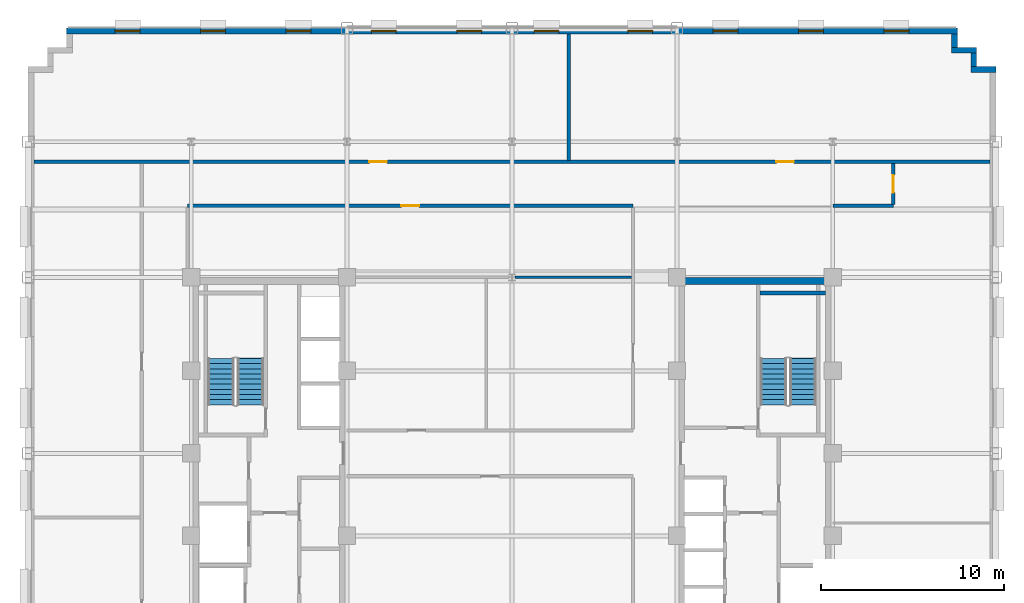
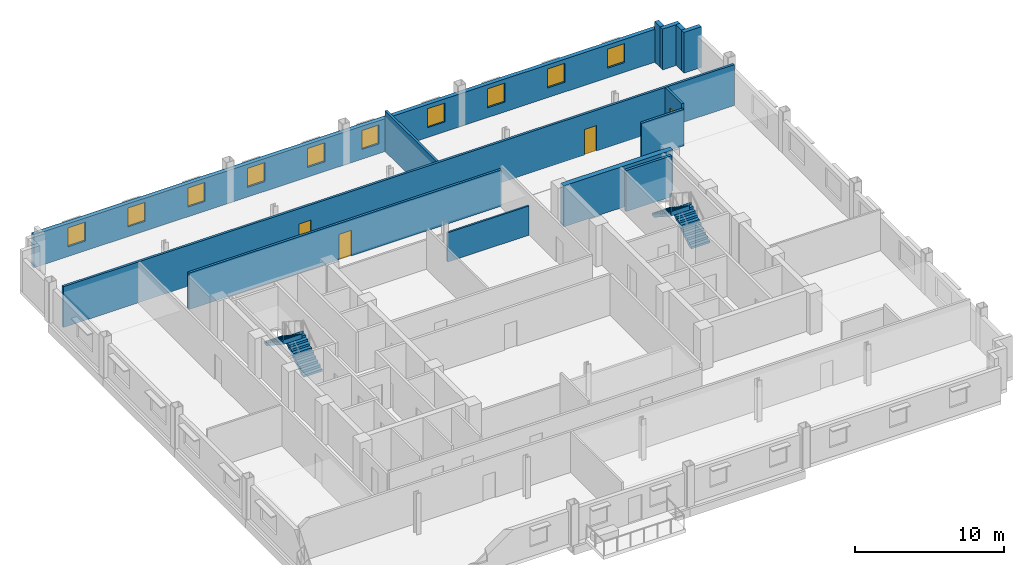
# One storey, part 9 of 14: 13 walls, 10 windows, 4 doors, 4 stair flights, 14 openings, 2 elements without a shape of their own.
"""IFC4 building model written with IfcOpenShell, lengths in metres."""

from ifc_helpers import new_model, si_unit, direction, frame, frame_2d, origin, place, context, subcontext, project, spatial, polyline, rectangle, outline, extrude, source, transform, mapped, material, layer, layer_set, type_object, type_shapes, element, fill, aggregate, save


model = new_model("IFC4")

# Units and contexts
model_context = context("Model", 3, precision=1e-05, world=origin(), true_north=direction((0.0, 1.0)))
body_context = subcontext(model_context, "Body", "Model", "MODEL_VIEW")
ifc_project = project(units=[si_unit("LENGTHUNIT", "METRE"), si_unit("AREAUNIT", "SQUARE_METRE"), si_unit("VOLUMEUNIT", "CUBIC_METRE"), si_unit("PLANEANGLEUNIT", "RADIAN"), si_unit("MASSUNIT", "GRAM", prefix="KILO")], contexts=[model_context])

# Site, building, storey
site_placement = place(None, origin())
site = spatial("IfcSite", under=ifc_project, at=site_placement, CompositionType="ELEMENT")
building_placement = place(site_placement, origin())
building = spatial("IfcBuilding", under=site, at=building_placement, Name="Nuvemarco Arch Tower", CompositionType="ELEMENT")
storey_placement = place(building_placement, frame((0.0, 0.0, 134.800048828125)))
storey = spatial("IfcBuildingStorey", under=building, at=storey_placement, Name="L35", CompositionType="ELEMENT", Elevation=134.800048828125)

# Walls
ifc_material_1 = material(Name="Precast concrete C45/55", Category="concrete")
ifc_layer_1 = layer(ifc_material_1, 0.320068359375, Name="EW-MID-320")
ifc_layer_set_1 = layer_set([ifc_layer_1], Name="Precast concrete C45/55")
wall_type_1 = type_object("IfcWallType", Name="EW-MID-320", PredefinedType="STANDARD", material=ifc_layer_set_1)
wall_1_placement = place(storey_placement, frame((25.030029296875, 20.93994140625, 0.0), z_axis=(0.0, 0.0, 1.0), x_axis=(1.0, 0.0, 0.0)))
element("IfcWall", 1, at=wall_1_placement, inside=storey, type_object=wall_type_1, Name="L35 exterior precast facade wall 7", PredefinedType="STANDARD", context=body_context, shape_type="SweptSolid", body=[
    extrude(rectangle(XDim=1.369873046875, YDim=0.320068359375, at=frame_2d((0.68505859375, 0.0))), origin(), (0.0, 0.0, 1.0), 3.35986328125),
])
wall_2_placement = place(storey_placement, frame((25.18994140625, 21.095947265625, 0.0), z_axis=(0.0, 0.0, 1.0), x_axis=(0.0, 1.0, 0.0)))
element("IfcWall", 2, at=wall_2_placement, inside=storey, type_object=wall_type_1, Name="L35 exterior precast facade wall 8", PredefinedType="STANDARD", context=body_context, shape_type="SweptSolid", body=[
    extrude(rectangle(XDim=0.738037109375, YDim=0.320068359375, at=frame_2d((0.369140625, 0.0))), origin(), (0.0, 0.0, 1.0), 3.35986328125),
])
wall_3_placement = place(storey_placement, frame((23.97998046875, 21.989990234375, 0.0), z_axis=(0.0, 0.0, 1.0), x_axis=(1.0, 0.0, 0.0)))
element("IfcWall", 3, at=wall_3_placement, inside=storey, type_object=wall_type_1, Name="L35 exterior precast facade wall 9", PredefinedType="STANDARD", context=body_context, shape_type="SweptSolid", body=[
    extrude(rectangle(XDim=1.3701171875, YDim=0.320068359375, at=frame_2d((0.68505859375, 0.0))), origin(), (0.0, 0.0, 1.0), 3.35986328125),
])
wall_4_placement = place(storey_placement, frame((24.139892578125, 22.14599609375, 0.0), z_axis=(0.0, 0.0, 1.0), x_axis=(0.0, 1.0, 0.0)))
element("IfcWall", 4, at=wall_4_placement, inside=storey, type_object=wall_type_1, Name="L35 exterior precast facade wall 10", PredefinedType="STANDARD", context=body_context, shape_type="SweptSolid", body=[
    extrude(rectangle(XDim=0.738037109375, YDim=0.320068359375, at=frame_2d((0.369140625, 0.0))), origin(), (0.0, 0.0, 1.0), 3.35986328125),
])

# Wall, openings, windows
wall_5_placement = place(storey_placement, frame((-24.300048828125, 23.0400390625, 0.0), z_axis=(0.0, 0.0, 1.0), x_axis=(1.0, 0.0, 0.0)))
wall_5 = element("IfcWall", 5, at=wall_5_placement, inside=storey, type_object=wall_type_1, Name="L35 exterior precast facade wall 11", PredefinedType="STANDARD", context=body_context, shape_type="SweptSolid", body=[
    extrude(rectangle(XDim=48.60009765625, YDim=0.320068359375, at=frame_2d((24.300048828125, 0.0))), origin(), (0.0, 0.0, 1.0), 2.704833984375),
])
opening_1_placement = place(wall_5_placement, frame((2.655029296875, 0.0, 0.800048828125)))
opening_1 = element("IfcOpeningElement", 6, at=opening_1_placement, cuts=wall_5, Name="Opening WN-6", PredefinedType="OPENING", context=body_context, shape_type="SweptSolid", body=[
    extrude(rectangle(XDim=1.35009765625, YDim=1.56005859375, at=frame_2d((0.675048828125, 0.780029296875))), frame((0.0, 0.169921875, 0.0), z_axis=(0.0, -1.0, 0.0), x_axis=(1.0, 0.0, 0.0)), (0.0, 0.0, 1.0), 0.340087890625),
])
opening_2_placement = place(wall_5_placement, frame((7.31494140625, 0.0, 0.800048828125)))
opening_2 = element("IfcOpeningElement", 7, at=opening_2_placement, cuts=wall_5, Name="Opening WN-6", PredefinedType="OPENING", context=body_context, shape_type="SweptSolid", body=[
    extrude(rectangle(XDim=1.35009765625, YDim=1.56005859375, at=frame_2d((0.675048828125, 0.780029296875))), frame((0.0, 0.169921875, 0.0), z_axis=(0.0, -1.0, 0.0), x_axis=(1.0, 0.0, 0.0)), (0.0, 0.0, 1.0), 0.340087890625),
])
opening_3_placement = place(wall_5_placement, frame((11.97509765625, 0.0, 0.800048828125)))
opening_3 = element("IfcOpeningElement", 8, at=opening_3_placement, cuts=wall_5, Name="Opening WN-6", PredefinedType="OPENING", context=body_context, shape_type="SweptSolid", body=[
    extrude(rectangle(XDim=1.35009765625, YDim=1.56005859375, at=frame_2d((0.675048828125, 0.780029296875))), frame((0.0, 0.169921875, 0.0), z_axis=(0.0, -1.0, 0.0), x_axis=(1.0, 0.0, 0.0)), (0.0, 0.0, 1.0), 0.340087890625),
])
opening_4_placement = place(wall_5_placement, frame((16.635009765625, 0.0, 0.800048828125)))
opening_4 = element("IfcOpeningElement", 9, at=opening_4_placement, cuts=wall_5, Name="Opening WN-6", PredefinedType="OPENING", context=body_context, shape_type="SweptSolid", body=[
    extrude(rectangle(XDim=1.35009765625, YDim=1.56005859375, at=frame_2d((0.675048828125, 0.780029296875))), frame((0.0, 0.169921875, 0.0), z_axis=(0.0, -1.0, 0.0), x_axis=(1.0, 0.0, 0.0)), (0.0, 0.0, 1.0), 0.340087890625),
])
opening_5_placement = place(wall_5_placement, frame((21.294921875, 0.0, 0.800048828125)))
opening_5 = element("IfcOpeningElement", 10, at=opening_5_placement, cuts=wall_5, Name="Opening WN-6", PredefinedType="OPENING", context=body_context, shape_type="SweptSolid", body=[
    extrude(rectangle(XDim=1.35009765625, YDim=1.56005859375, at=frame_2d((0.675048828125, 0.780029296875))), frame((0.0, 0.169921875, 0.0), z_axis=(0.0, -1.0, 0.0), x_axis=(1.0, 0.0, 0.0)), (0.0, 0.0, 1.0), 0.340087890625),
])
opening_6_placement = place(wall_5_placement, frame((25.5048828125, 0.0, 0.800048828125)))
opening_6 = element("IfcOpeningElement", 11, at=opening_6_placement, cuts=wall_5, Name="Opening WN-6", PredefinedType="OPENING", context=body_context, shape_type="SweptSolid", body=[
    extrude(rectangle(XDim=1.35009765625, YDim=1.56005859375, at=frame_2d((0.675048828125, 0.780029296875))), frame((0.0, 0.169921875, 0.0), z_axis=(0.0, -1.0, 0.0), x_axis=(1.0, 0.0, 0.0)), (0.0, 0.0, 1.0), 0.340087890625),
])
opening_7_placement = place(wall_5_placement, frame((30.614990234375, 0.0, 0.800048828125)))
opening_7 = element("IfcOpeningElement", 12, at=opening_7_placement, cuts=wall_5, Name="Opening WN-6", PredefinedType="OPENING", context=body_context, shape_type="SweptSolid", body=[
    extrude(rectangle(XDim=1.35009765625, YDim=1.56005859375, at=frame_2d((0.675048828125, 0.780029296875))), frame((0.0, 0.169921875, 0.0), z_axis=(0.0, -1.0, 0.0), x_axis=(1.0, 0.0, 0.0)), (0.0, 0.0, 1.0), 0.340087890625),
])
opening_8_placement = place(wall_5_placement, frame((35.27490234375, 0.0, 0.800048828125)))
opening_8 = element("IfcOpeningElement", 13, at=opening_8_placement, cuts=wall_5, Name="Opening WN-6", PredefinedType="OPENING", context=body_context, shape_type="SweptSolid", body=[
    extrude(rectangle(XDim=1.35009765625, YDim=1.56005859375, at=frame_2d((0.675048828125, 0.780029296875))), frame((0.0, 0.169921875, 0.0), z_axis=(0.0, -1.0, 0.0), x_axis=(1.0, 0.0, 0.0)), (0.0, 0.0, 1.0), 0.340087890625),
])
opening_9_placement = place(wall_5_placement, frame((39.93505859375, 0.0, 0.800048828125)))
opening_9 = element("IfcOpeningElement", 14, at=opening_9_placement, cuts=wall_5, Name="Opening WN-6", PredefinedType="OPENING", context=body_context, shape_type="SweptSolid", body=[
    extrude(rectangle(XDim=1.35009765625, YDim=1.56005859375, at=frame_2d((0.675048828125, 0.780029296875))), frame((0.0, 0.169921875, 0.0), z_axis=(0.0, -1.0, 0.0), x_axis=(1.0, 0.0, 0.0)), (0.0, 0.0, 1.0), 0.340087890625),
])
opening_10_placement = place(wall_5_placement, frame((44.594970703125, 0.0, 0.800048828125)))
opening_10 = element("IfcOpeningElement", 15, at=opening_10_placement, cuts=wall_5, Name="Opening WN-6", PredefinedType="OPENING", context=body_context, shape_type="SweptSolid", body=[
    extrude(rectangle(XDim=1.35009765625, YDim=1.56005859375, at=frame_2d((0.675048828125, 0.780029296875))), frame((0.0, 0.169921875, 0.0), z_axis=(0.0, -1.0, 0.0), x_axis=(1.0, 0.0, 0.0)), (0.0, 0.0, 1.0), 0.340087890625),
])
ifc_material_2 = material(Name="Insulated solar-control glass", Category="glass")
window_type = type_object("IfcWindowType", Name="WN-MID-1350x1560", PartitioningType="SINGLE_PANEL", PredefinedType="WINDOW", material=ifc_material_2)
shared_shape_1 = source(origin(), body_context, "Body", "SweptSolid", [
    extrude(rectangle(XDim=1.35009765625, YDim=1.56005859375, at=frame_2d((0.675048828125, 0.780029296875))), frame((0.0, 0.030029296875, 0.0), z_axis=(0.0, -1.0, 0.0), x_axis=(1.0, 0.0, 0.0)), (0.0, 0.0, 1.0), 0.06005859375),
])
type_shapes(window_type, [shared_shape_1])
window_1_placement = place(opening_1_placement, origin())
window_1 = element("IfcWindow", 16, at=window_1_placement, inside=storey, type_object=window_type, Name="L35 punched facade window 1", OverallHeight=1.56005859375, OverallWidth=1.35009765625, PartitioningType="SINGLE_PANEL", PredefinedType="WINDOW", context=body_context, shape_type="MappedRepresentation", body=[
    mapped(shared_shape_1, transform((0.0, 0.0, 0.0), scale=1.0)),
])
fill(opening_1, window_1)
window_2_placement = place(opening_2_placement, origin())
window_2 = element("IfcWindow", 17, at=window_2_placement, inside=storey, type_object=window_type, Name="L35 punched facade window 2", OverallHeight=1.56005859375, OverallWidth=1.35009765625, PartitioningType="SINGLE_PANEL", PredefinedType="WINDOW", context=body_context, shape_type="MappedRepresentation", body=[
    mapped(shared_shape_1, transform((0.0, 0.0, 0.0), scale=1.0)),
])
fill(opening_2, window_2)
window_3_placement = place(opening_3_placement, origin())
window_3 = element("IfcWindow", 18, at=window_3_placement, inside=storey, type_object=window_type, Name="L35 punched facade window 3", OverallHeight=1.56005859375, OverallWidth=1.35009765625, PartitioningType="SINGLE_PANEL", PredefinedType="WINDOW", context=body_context, shape_type="MappedRepresentation", body=[
    mapped(shared_shape_1, transform((0.0, 0.0, 0.0), scale=1.0)),
])
fill(opening_3, window_3)
window_4_placement = place(opening_4_placement, origin())
window_4 = element("IfcWindow", 19, at=window_4_placement, inside=storey, type_object=window_type, Name="L35 punched facade window 4", OverallHeight=1.56005859375, OverallWidth=1.35009765625, PartitioningType="SINGLE_PANEL", PredefinedType="WINDOW", context=body_context, shape_type="MappedRepresentation", body=[
    mapped(shared_shape_1, transform((0.0, 0.0, 0.0), scale=1.0)),
])
fill(opening_4, window_4)
window_5_placement = place(opening_5_placement, origin())
window_5 = element("IfcWindow", 20, at=window_5_placement, inside=storey, type_object=window_type, Name="L35 punched facade window 5", OverallHeight=1.56005859375, OverallWidth=1.35009765625, PartitioningType="SINGLE_PANEL", PredefinedType="WINDOW", context=body_context, shape_type="MappedRepresentation", body=[
    mapped(shared_shape_1, transform((0.0, 0.0, 0.0), scale=1.0)),
])
fill(opening_5, window_5)
window_6_placement = place(opening_6_placement, origin())
window_6 = element("IfcWindow", 21, at=window_6_placement, inside=storey, type_object=window_type, Name="L35 punched facade window 6", OverallHeight=1.56005859375, OverallWidth=1.35009765625, PartitioningType="SINGLE_PANEL", PredefinedType="WINDOW", context=body_context, shape_type="MappedRepresentation", body=[
    mapped(shared_shape_1, transform((0.0, 0.0, 0.0), scale=1.0)),
])
fill(opening_6, window_6)
window_7_placement = place(opening_7_placement, origin())
window_7 = element("IfcWindow", 22, at=window_7_placement, inside=storey, type_object=window_type, Name="L35 punched facade window 7", OverallHeight=1.56005859375, OverallWidth=1.35009765625, PartitioningType="SINGLE_PANEL", PredefinedType="WINDOW", context=body_context, shape_type="MappedRepresentation", body=[
    mapped(shared_shape_1, transform((0.0, 0.0, 0.0), scale=1.0)),
])
fill(opening_7, window_7)
window_8_placement = place(opening_8_placement, origin())
window_8 = element("IfcWindow", 23, at=window_8_placement, inside=storey, type_object=window_type, Name="L35 punched facade window 8", OverallHeight=1.56005859375, OverallWidth=1.35009765625, PartitioningType="SINGLE_PANEL", PredefinedType="WINDOW", context=body_context, shape_type="MappedRepresentation", body=[
    mapped(shared_shape_1, transform((0.0, 0.0, 0.0), scale=1.0)),
])
fill(opening_8, window_8)
window_9_placement = place(opening_9_placement, origin())
window_9 = element("IfcWindow", 24, at=window_9_placement, inside=storey, type_object=window_type, Name="L35 punched facade window 9", OverallHeight=1.56005859375, OverallWidth=1.35009765625, PartitioningType="SINGLE_PANEL", PredefinedType="WINDOW", context=body_context, shape_type="MappedRepresentation", body=[
    mapped(shared_shape_1, transform((0.0, 0.0, 0.0), scale=1.0)),
])
fill(opening_9, window_9)
window_10_placement = place(opening_10_placement, origin())
window_10 = element("IfcWindow", 25, at=window_10_placement, inside=storey, type_object=window_type, Name="L35 punched facade window 10", OverallHeight=1.56005859375, OverallWidth=1.35009765625, PartitioningType="SINGLE_PANEL", PredefinedType="WINDOW", context=body_context, shape_type="MappedRepresentation", body=[
    mapped(shared_shape_1, transform((0.0, 0.0, 0.0), scale=1.0)),
])
fill(opening_10, window_10)

# Wall
ifc_material_3 = material(Name="Concrete C60/75", Category="concrete")
ifc_layer_2 = layer(ifc_material_3, 0.39990234375, Name="WL-CORE-400")
ifc_layer_set_2 = layer_set([ifc_layer_2], Name="Concrete C60/75")
wall_type_2 = type_object("IfcWallType", Name="WL-CORE-400", PredefinedType="SHEAR", material=ifc_layer_set_2)
wall_6_placement = place(storey_placement, frame((9.0, 9.39990234375, 0.0), z_axis=(0.0, 0.0, 1.0), x_axis=(1.0, 0.0, 0.0)))
element("IfcWall", 26, at=wall_6_placement, inside=storey, type_object=wall_type_2, Name="L35 E-core shear wall N", PredefinedType="SHEAR", context=body_context, shape_type="SweptSolid", body=[
    extrude(rectangle(XDim=8.5, YDim=0.39990234375, at=frame_2d((4.25, 0.0))), origin(), (0.0, 0.0, 1.0), 3.369873046875),
])

# Wall, opening, door
ifc_material_4 = material(Name="Fire-rated gypsum drywall partition")
ifc_layer_3 = layer(ifc_material_4, 0.179931640625, Name="WL-CORR-180")
ifc_layer_set_3 = layer_set([ifc_layer_3], Name="Fire-rated gypsum drywall partition")
wall_type_3 = type_object("IfcWallType", Name="WL-CORR-180", PredefinedType="PARTITIONING", material=ifc_layer_set_3)
wall_7_placement = place(storey_placement, frame((-17.699951171875, 13.5, 0.0), z_axis=(0.0, 0.0, 1.0), x_axis=(1.0, 0.0, 0.0)))
wall_7 = element("IfcWall", 27, at=wall_7_placement, inside=storey, type_object=wall_type_3, Name="L35 interior wall IW-L35-012", PredefinedType="PARTITIONING", context=body_context, shape_type="SweptSolid", body=[
    extrude(rectangle(XDim=24.300048828125, YDim=0.179931640625, at=frame_2d((12.14990234375, 0.0))), origin(), (0.0, 0.0, 1.0), 2.998046875),
])
opening_11_placement = place(wall_7_placement, frame((11.669921875, 0.0, 0.0)))
opening_11 = element("IfcOpeningElement", 28, at=opening_11_placement, cuts=wall_7, Name="Opening FD-5", PredefinedType="OPENING", context=body_context, shape_type="SweptSolid", body=[
    extrude(rectangle(XDim=0.9599609375, YDim=2.10009765625, at=frame_2d((0.47998046875, 1.050048828125))), frame((0.0, 0.099853515625, 0.0), z_axis=(0.0, -1.0, 0.0), x_axis=(1.0, 0.0, 0.0)), (0.0, 0.0, 1.0), 0.199951171875),
])
ifc_material_5 = material(Name="Timber fire door", Category="wood")
door_type = type_object("IfcDoorType", Name="DR-CORR-FD", OperationType="NOTDEFINED", PredefinedType="DOOR", material=ifc_material_5)
shared_shape_2 = source(origin(), body_context, "Body", "SweptSolid", [
    extrude(rectangle(XDim=0.9599609375, YDim=2.10009765625, at=frame_2d((0.47998046875, 1.050048828125))), frame((0.0, 0.02490234375, 0.0), z_axis=(0.0, -1.0, 0.0), x_axis=(1.0, 0.0, 0.0)), (0.0, 0.0, 1.0), 0.050048828125),
])
type_shapes(door_type, [shared_shape_2])
door_1_placement = place(opening_11_placement, origin())
door_1 = element("IfcDoor", 29, at=door_1_placement, inside=storey, type_object=door_type, Name="L35 door DR-L35-IN_N1", OperationType="SINGLE_SWING_RIGHT", OverallHeight=2.10009765625, OverallWidth=0.9599609375, PredefinedType="DOOR", context=body_context, shape_type="MappedRepresentation", body=[
    mapped(shared_shape_2, transform((0.0, 0.0, 0.0), scale=1.0)),
])
fill(opening_11, door_1)

# Wall
wall_8_placement = place(storey_placement, frame((17.5, 13.5, 0.0), z_axis=(0.0, 0.0, 1.0), x_axis=(1.0, 0.0, 0.0)))
element("IfcWall", 30, at=wall_8_placement, inside=storey, type_object=wall_type_3, Name="L35 interior wall IW-L35-013", PredefinedType="PARTITIONING", context=body_context, shape_type="SweptSolid", body=[
    extrude(rectangle(XDim=3.300048828125, YDim=0.179931640625, at=frame_2d((1.64990234375, 0.0))), origin(), (0.0, 0.0, 1.0), 2.998046875),
])

# Wall, openings, doors
wall_9_placement = place(storey_placement, frame((-26.080078125, 15.89990234375, 0.0), z_axis=(0.0, 0.0, 1.0), x_axis=(1.0, 0.0, 0.0)))
wall_9 = element("IfcWall", 31, at=wall_9_placement, inside=storey, type_object=wall_type_3, Name="L35 interior wall IW-L35-014", PredefinedType="PARTITIONING", context=body_context, shape_type="SweptSolid", body=[
    extrude(rectangle(XDim=52.16015625, YDim=0.179931640625, at=frame_2d((26.080078125, 0.0))), origin(), (0.0, 0.0, 1.0), 3.35986328125),
])
opening_12_placement = place(wall_9_placement, frame((18.300048828125, 0.0, 0.0)))
opening_12 = element("IfcOpeningElement", 32, at=opening_12_placement, cuts=wall_9, Name="Opening FD-5", PredefinedType="OPENING", context=body_context, shape_type="SweptSolid", body=[
    extrude(rectangle(XDim=0.9599609375, YDim=2.10009765625, at=frame_2d((0.47998046875, 1.050048828125))), frame((0.0, 0.099853515625, 0.0), z_axis=(0.0, -1.0, 0.0), x_axis=(1.0, 0.0, 0.0)), (0.0, 0.0, 1.0), 0.199951171875),
])
opening_13_placement = place(wall_9_placement, frame((40.5, 0.0, 0.0)))
opening_13 = element("IfcOpeningElement", 33, at=opening_13_placement, cuts=wall_9, Name="Opening FD-5", PredefinedType="OPENING", context=body_context, shape_type="SweptSolid", body=[
    extrude(rectangle(XDim=0.9599609375, YDim=2.10009765625, at=frame_2d((0.47998046875, 1.050048828125))), frame((0.0, 0.099853515625, 0.0), z_axis=(0.0, -1.0, 0.0), x_axis=(1.0, 0.0, 0.0)), (0.0, 0.0, 1.0), 0.199951171875),
])
door_2_placement = place(opening_12_placement, origin())
door_2 = element("IfcDoor", 34, at=door_2_placement, inside=storey, type_object=door_type, Name="L35 door DR-L35-N_1", OperationType="SINGLE_SWING_LEFT", OverallHeight=2.10009765625, OverallWidth=0.9599609375, PredefinedType="DOOR", context=body_context, shape_type="MappedRepresentation", body=[
    mapped(shared_shape_2, transform((0.0, 0.0, 0.0), scale=1.0)),
])
fill(opening_12, door_2)
door_3_placement = place(opening_13_placement, origin())
door_3 = element("IfcDoor", 35, at=door_3_placement, inside=storey, type_object=door_type, Name="L35 door DR-L35-N_2", OperationType="SINGLE_SWING_LEFT", OverallHeight=2.10009765625, OverallWidth=0.9599609375, PredefinedType="DOOR", context=body_context, shape_type="MappedRepresentation", body=[
    mapped(shared_shape_2, transform((0.0, 0.0, 0.0), scale=1.0)),
])
fill(opening_13, door_3)

# Wall
wall_10_placement = place(storey_placement, frame((3.10009765625, 15.986083984375, 0.0), z_axis=(0.0, 0.0, 1.0), x_axis=(0.0, 1.0, 0.0)))
element("IfcWall", 36, at=wall_10_placement, inside=storey, type_object=wall_type_3, Name="L35 interior wall IW-L35-024", PredefinedType="PARTITIONING", context=body_context, shape_type="SweptSolid", body=[
    extrude(rectangle(XDim=6.893798828125, YDim=0.179931640625, at=frame_2d((3.44677734375, 0.0))), origin(), (0.0, 0.0, 1.0), 3.35986328125),
])

# Wall, opening, door
wall_11_placement = place(storey_placement, frame((20.800048828125, 13.5859375, 0.0), z_axis=(0.0, 0.0, 1.0), x_axis=(0.0, 1.0, 0.0)))
wall_11 = element("IfcWall", 37, at=wall_11_placement, inside=storey, type_object=wall_type_3, Name="L35 interior wall IW-L35-028", PredefinedType="PARTITIONING", context=body_context, shape_type="SweptSolid", body=[
    extrude(rectangle(XDim=2.22802734375, YDim=0.179931640625, at=frame_2d((1.114013671875, 0.0))), origin(), (0.0, 0.0, 1.0), 3.35986328125),
])
opening_14_placement = place(wall_11_placement, frame((0.634033203125, 0.0, 0.0)))
opening_14 = element("IfcOpeningElement", 38, at=opening_14_placement, cuts=wall_11, Name="Opening FD-5", PredefinedType="OPENING", context=body_context, shape_type="SweptSolid", body=[
    extrude(rectangle(XDim=0.9599609375, YDim=2.10009765625, at=frame_2d((0.47998046875, 1.050048828125))), frame((0.0, 0.099853515625, 0.0), z_axis=(0.0, -1.0, 0.0), x_axis=(1.0, 0.0, 0.0)), (0.0, 0.0, 1.0), 0.199951171875),
])
door_4_placement = place(opening_14_placement, origin())
door_4 = element("IfcDoor", 39, at=door_4_placement, inside=storey, type_object=door_type, Name="L35 door DR-L35-E_2", OperationType="SINGLE_SWING_LEFT", OverallHeight=2.10009765625, OverallWidth=0.9599609375, PredefinedType="DOOR", context=body_context, shape_type="MappedRepresentation", body=[
    mapped(shared_shape_2, transform((0.0, 0.0, 0.0), scale=1.0)),
])
fill(opening_14, door_4)

# Walls
ifc_material_6 = material(Name="Gypsum plasterboard partition")
ifc_layer_4 = layer(ifc_material_6, 0.139892578125, Name="WL-ROOM-140")
ifc_layer_set_4 = layer_set([ifc_layer_4], Name="Gypsum plasterboard partition")
wall_type_4 = type_object("IfcWallType", Name="WL-ROOM-140", PredefinedType="PARTITIONING", material=ifc_layer_set_4)
wall_12_placement = place(storey_placement, frame((0.176025390625, 9.60009765625, 0.0), z_axis=(0.0, 0.0, 1.0), x_axis=(1.0, 0.0, 0.0)))
element("IfcWall", 40, at=wall_12_placement, inside=storey, type_object=wall_type_4, Name="L35 interior wall IW-L35-011", PredefinedType="PARTITIONING", context=body_context, shape_type="SweptSolid", body=[
    extrude(rectangle(XDim=6.337890625, YDim=0.139892578125, at=frame_2d((3.1689453125, 0.0))), origin(), (0.0, 0.0, 1.0), 2.405029296875),
])
ifc_material_7 = material(Name="Concrete C50/60", Category="concrete")
ifc_layer_5 = layer(ifc_material_7, 0.199951171875, Name="WL-SHAFT-220")
ifc_layer_set_5 = layer_set([ifc_layer_5], Name="Concrete C50/60")
wall_type_5 = type_object("IfcWallType", Name="WL-SHAFT-220", PredefinedType="SHEAR", material=ifc_layer_set_5)
wall_13_placement = place(storey_placement, frame((13.534912109375, 8.75, 0.0), z_axis=(0.0, 0.0, 1.0), x_axis=(1.0, 0.0, 0.0)))
element("IfcWall", 41, at=wall_13_placement, inside=storey, type_object=wall_type_5, Name="L35 structural shaft wall SW-L35-E-ST2N", PredefinedType="SHEAR", context=body_context, shape_type="SweptSolid", body=[
    extrude(rectangle(XDim=3.570068359375, YDim=0.199951171875, at=frame_2d((1.78515625, 0.0))), origin(), (0.0, 0.0, 1.0), 3.369873046875),
])

# Stair, stair flights
stair_type = type_object("IfcStairType", Name="ST-CORE-20R", PredefinedType="HALF_TURN_STAIR", material=ifc_material_1)
stair_1_placement = place(storey_placement, origin())
stair_1 = element("IfcStair", 42, at=stair_1_placement, inside=storey, type_object=stair_type, Name="L35 Protected Exit Stair ST-1", PredefinedType="HALF_TURN_STAIR")
stair_flight_type = type_object("IfcStairFlightType", Name="SF-CORE-20R", PredefinedType="STRAIGHT", material=ifc_material_1)
stair_flight_1_placement = place(storey_placement, frame((-14.264892578125, 2.64990234375, 0.0), z_axis=(0.0, 0.0, 1.0), x_axis=(0.0, 1.0, 0.0)))
stair_flight_1 = element("IfcStairFlight", 43, at=stair_flight_1_placement, type_object=stair_flight_type, Name="ST-20R flight 1", NumberOfRisers=10, NumberOfTreads=9, PredefinedType="STRAIGHT", RiserHeight=0.1825, TreadLength=0.28, context=body_context, shape_type="SweptSolid", body=[
    extrude(outline(polyline([(0.0, 0.0), (0.0, 0.1826171875), (0.280029296875, 0.1826171875), (0.280029296875, 0.364990234375), (0.56005859375, 0.364990234375), (0.56005859375, 0.547607421875), (0.840087890625, 0.547607421875), (0.840087890625, 0.72998046875), (1.1201171875, 0.72998046875), (1.1201171875, 0.91259765625), (1.39990234375, 0.91259765625), (1.39990234375, 1.094970703125), (1.679931640625, 1.094970703125), (1.679931640625, 1.277587890625), (1.9599609375, 1.277587890625), (1.9599609375, 1.4599609375), (2.239990234375, 1.4599609375), (2.239990234375, 1.642578125), (2.52001953125, 1.642578125), (2.52001953125, 1.824951171875), (2.5400390625, 1.824951171875), (2.5400390625, 1.45166015625), (0.312744140625, 0.0), (0.0, 0.0)])), frame((0.0, 0.72509765625, 0.0), z_axis=(0.0, -1.0, 0.0), x_axis=(1.0, 0.0, 0.0)), (0.0, 0.0, 1.0), 1.449951171875),
])
stair_flight_2_placement = place(storey_placement, frame((-15.875, 5.169921875, 1.824951171875), z_axis=(0.0, 0.0, 1.0), x_axis=(0.0, -1.0, 0.0)))
stair_flight_2 = element("IfcStairFlight", 44, at=stair_flight_2_placement, type_object=stair_flight_type, Name="ST-20R flight 2", NumberOfRisers=10, NumberOfTreads=9, PredefinedType="STRAIGHT", RiserHeight=0.1825, TreadLength=0.28, context=body_context, shape_type="SweptSolid", body=[
    extrude(outline(polyline([(0.0, 0.0), (0.0, 0.1826171875), (0.280029296875, 0.1826171875), (0.280029296875, 0.364990234375), (0.56005859375, 0.364990234375), (0.56005859375, 0.547607421875), (0.840087890625, 0.547607421875), (0.840087890625, 0.72998046875), (1.1201171875, 0.72998046875), (1.1201171875, 0.91259765625), (1.39990234375, 0.91259765625), (1.39990234375, 1.094970703125), (1.679931640625, 1.094970703125), (1.679931640625, 1.277587890625), (1.9599609375, 1.277587890625), (1.9599609375, 1.4599609375), (2.239990234375, 1.4599609375), (2.239990234375, 1.642578125), (2.52001953125, 1.642578125), (2.52001953125, 1.824951171875), (2.5400390625, 1.824951171875), (2.5400390625, 1.45166015625), (0.312744140625, 0.0), (0.0, 0.0)])), frame((0.0, 0.72509765625, 0.0), z_axis=(0.0, -1.0, 0.0), x_axis=(1.0, 0.0, 0.0)), (0.0, 0.0, 1.0), 1.449951171875),
])
aggregate(stair_1, [stair_flight_1, stair_flight_2])

stair_2_placement = place(storey_placement, origin())
stair_2 = element("IfcStair", 45, at=stair_2_placement, inside=storey, type_object=stair_type, Name="L35 Protected Exit Stair ST-2", PredefinedType="HALF_TURN_STAIR")
stair_flight_3_placement = place(storey_placement, frame((15.875, 2.64990234375, 0.0), z_axis=(0.0, 0.0, 1.0), x_axis=(0.0, 1.0, 0.0)))
stair_flight_3 = element("IfcStairFlight", 46, at=stair_flight_3_placement, type_object=stair_flight_type, Name="ST-20R flight 1", NumberOfRisers=10, NumberOfTreads=9, PredefinedType="STRAIGHT", RiserHeight=0.1825, TreadLength=0.28, context=body_context, shape_type="SweptSolid", body=[
    extrude(outline(polyline([(0.0, 0.0), (0.0, 0.1826171875), (0.280029296875, 0.1826171875), (0.280029296875, 0.364990234375), (0.56005859375, 0.364990234375), (0.56005859375, 0.547607421875), (0.840087890625, 0.547607421875), (0.840087890625, 0.72998046875), (1.1201171875, 0.72998046875), (1.1201171875, 0.91259765625), (1.39990234375, 0.91259765625), (1.39990234375, 1.094970703125), (1.679931640625, 1.094970703125), (1.679931640625, 1.277587890625), (1.9599609375, 1.277587890625), (1.9599609375, 1.4599609375), (2.239990234375, 1.4599609375), (2.239990234375, 1.642578125), (2.52001953125, 1.642578125), (2.52001953125, 1.824951171875), (2.5400390625, 1.824951171875), (2.5400390625, 1.45166015625), (0.312744140625, 0.0), (0.0, 0.0)])), frame((0.0, 0.72509765625, 0.0), z_axis=(0.0, -1.0, 0.0), x_axis=(1.0, 0.0, 0.0)), (0.0, 0.0, 1.0), 1.449951171875),
])
stair_flight_4_placement = place(storey_placement, frame((14.264892578125, 5.169921875, 1.824951171875), z_axis=(0.0, 0.0, 1.0), x_axis=(0.0, -1.0, 0.0)))
stair_flight_4 = element("IfcStairFlight", 47, at=stair_flight_4_placement, type_object=stair_flight_type, Name="ST-20R flight 2", NumberOfRisers=10, NumberOfTreads=9, PredefinedType="STRAIGHT", RiserHeight=0.1825, TreadLength=0.28, context=body_context, shape_type="SweptSolid", body=[
    extrude(outline(polyline([(0.0, 0.0), (0.0, 0.1826171875), (0.280029296875, 0.1826171875), (0.280029296875, 0.364990234375), (0.56005859375, 0.364990234375), (0.56005859375, 0.547607421875), (0.840087890625, 0.547607421875), (0.840087890625, 0.72998046875), (1.1201171875, 0.72998046875), (1.1201171875, 0.91259765625), (1.39990234375, 0.91259765625), (1.39990234375, 1.094970703125), (1.679931640625, 1.094970703125), (1.679931640625, 1.277587890625), (1.9599609375, 1.277587890625), (1.9599609375, 1.4599609375), (2.239990234375, 1.4599609375), (2.239990234375, 1.642578125), (2.52001953125, 1.642578125), (2.52001953125, 1.824951171875), (2.5400390625, 1.824951171875), (2.5400390625, 1.45166015625), (0.312744140625, 0.0), (0.0, 0.0)])), frame((0.0, 0.72509765625, 0.0), z_axis=(0.0, -1.0, 0.0), x_axis=(1.0, 0.0, 0.0)), (0.0, 0.0, 1.0), 1.449951171875),
])
aggregate(stair_2, [stair_flight_3, stair_flight_4])

save(model, "model.ifc")
